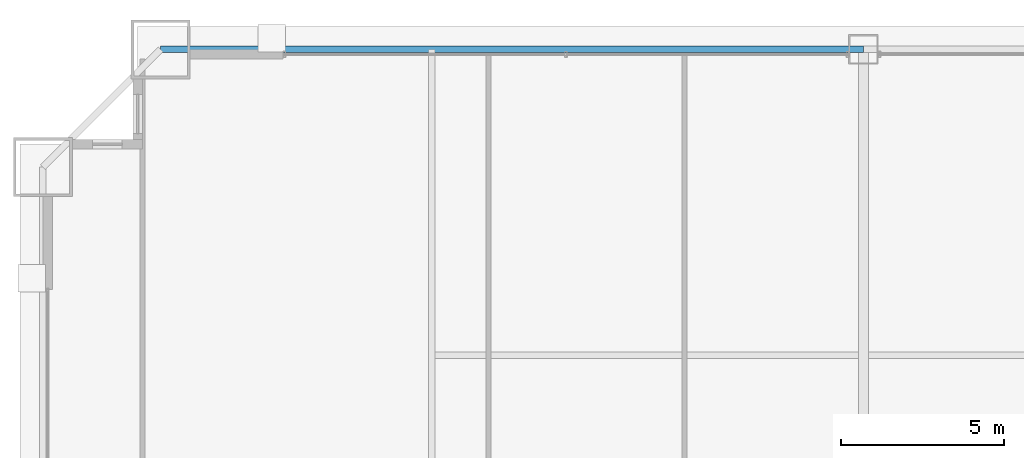
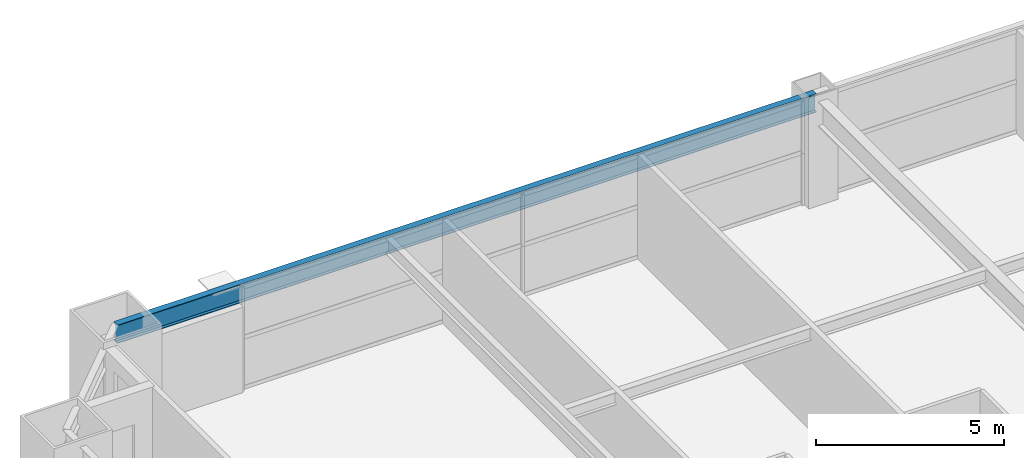
# One storey, part 27 of 43: 1 beam.
"""IFC4 building model written with IfcOpenShell, lengths in metres."""

import ifcopenshell
import ifcopenshell.guid

model = None  # the IFC model being written
_history = None  # IfcOwnerHistory: only IFC2X3 demands one
_inside = {}  # id of a spatial element -> (the spatial element, [elements in it])
_under = {}  # id of a project, library or spatial element -> (it, [spatial elements below it])
_declared = {}  # id of a project -> (the project, [libraries it declares])
_typed = {}  # id of a type object -> (the type object, [elements of that type])
_made_of = {}  # id of a material, layer set ... -> (it, [elements and type objects made of it])


def new_model(schema):
    """Start an empty IFC model of exactly this schema.

    Asked for "IFC4X3", IfcOpenShell would pick the latest addendum, in which some entities
    have other attributes; the version numbers below select the first issue.
    IFC2X3 requires an IfcOwnerHistory on every rooted entity: one is made here for all.
    """
    global model, _history
    if schema == "IFC4X3":
        model = ifcopenshell.file(schema_version=(4, 3, 0, 0))
    else:
        model = ifcopenshell.file(schema=schema)
    _inside.clear()
    _under.clear()
    _declared.clear()
    _typed.clear()
    _made_of.clear()
    _history = None
    if model.schema == "IFC2X3":
        org = make("IfcOrganization", Name="unknown")
        user = make(
            "IfcPersonAndOrganization",
            ThePerson=make("IfcPerson", FamilyName="unknown"),
            TheOrganization=org,
        )
        app = make(
            "IfcApplication",
            ApplicationDeveloper=org,
            Version="unknown",
            ApplicationFullName="unknown",
            ApplicationIdentifier="unknown",
        )
        _history = make(
            "IfcOwnerHistory",
            OwningUser=user,
            OwningApplication=app,
            ChangeAction="ADDED",
            CreationDate=0,
        )
    return model


def make(cls, **values):
    """One entity of the class cls with the attributes given. An attribute that is None is left unset."""
    return model.create_entity(
        cls, **{name: value for name, value in values.items() if value is not None}
    )


def rooted(cls, **values):
    """An entity with a GlobalId (a new one), such as an element, a storey or a relation."""
    return make(cls, GlobalId=ifcopenshell.guid.new(), OwnerHistory=_history, **values)


def si_unit(unit_type, name, prefix=None):
    """IfcSIUnit, for example si_unit("LENGTHUNIT", "METRE", prefix="MILLI")."""
    return make("IfcSIUnit", UnitType=unit_type, Prefix=prefix, Name=name)


def assignment(units):
    """IfcUnitAssignment: the units of a project."""
    return None if units is None else make("IfcUnitAssignment", Units=units)


def point(xyz):
    """IfcCartesianPoint."""
    return None if xyz is None else make("IfcCartesianPoint", Coordinates=xyz)


def direction(xyz):
    """IfcDirection."""
    return None if xyz is None else make("IfcDirection", DirectionRatios=xyz)


def frame(location, z_axis=None, x_axis=None):
    """IfcAxis2Placement3D, a coordinate frame: its origin and axes. An axis left out is left unset."""
    return make(
        "IfcAxis2Placement3D",
        Location=point(location),
        Axis=direction(z_axis),
        RefDirection=direction(x_axis),
    )


def frame_2d(location, x_axis=None):
    """IfcAxis2Placement2D, a coordinate frame in the plane: its origin and x axis."""
    return make(
        "IfcAxis2Placement2D", Location=point(location), RefDirection=direction(x_axis)
    )


def origin():
    """The frame at (0, 0, 0) with its axes left unset."""
    return frame((0.0, 0.0, 0.0))


def origin_2d():
    """The frame at (0, 0) in the plane with its x axis left unset."""
    return frame_2d((0.0, 0.0))


def place(relative_to, where):
    """IfcLocalPlacement: puts the frame where relative to a parent placement (None: the world)."""
    return make(
        "IfcLocalPlacement", PlacementRelTo=relative_to, RelativePlacement=where
    )


def context(
    kind, dimensions, precision=None, world=None, true_north=None, identifier=None
):
    """IfcGeometricRepresentationContext, for example the 3D "Model" context."""
    return make(
        "IfcGeometricRepresentationContext",
        ContextIdentifier=identifier,
        ContextType=kind,
        CoordinateSpaceDimension=dimensions,
        Precision=precision,
        WorldCoordinateSystem=world,
        TrueNorth=true_north,
    )


def subcontext(parent, identifier, kind, view, scale=None):
    """IfcGeometricRepresentationSubContext, for example "Body" below "Model"."""
    return make(
        "IfcGeometricRepresentationSubContext",
        ContextIdentifier=identifier,
        ContextType=kind,
        ParentContext=parent,
        TargetScale=scale,
        TargetView=view,
    )


def project(units=None, contexts=None):
    """IfcProject with its units and contexts."""
    return rooted(
        "IfcProject",
        Name="project",
        RepresentationContexts=contexts,
        UnitsInContext=assignment(units),
    )


def spatial(cls, under=None, at=None, **own):
    """A site, building, storey or space (cls), placed at a placement, below another one or the project."""
    s = rooted(cls, ObjectPlacement=at, **own)
    if under is not None:
        _under.setdefault(under.id(), (under, []))[1].append(s)
    return s


def profile(cls, at=None, kind="AREA", **sizes):
    """A parametric profile (cls). Its sizes go by their IFC names, for example OverallWidth=200.0."""
    return make(cls, ProfileType=kind, Position=at, **sizes)


def i_section(**sizes):
    """IfcIShapeProfileDef."""
    return profile("IfcIShapeProfileDef", **sizes)


def extrude(swept, where, along, depth):
    """IfcExtrudedAreaSolid: the profile swept, set in the frame where, extruded along a direction by depth."""
    return make(
        "IfcExtrudedAreaSolid",
        SweptArea=swept,
        Position=where,
        ExtrudedDirection=direction(along),
        Depth=depth,
    )


def shape(context_of_items, identifier, shape_type, items):
    """IfcShapeRepresentation: the items that make up one representation, for example the "Body"."""
    return make(
        "IfcShapeRepresentation",
        ContextOfItems=context_of_items,
        RepresentationIdentifier=identifier,
        RepresentationType=shape_type,
        Items=items,
    )


def source(mapping_origin, context_of_items, identifier, shape_type, items):
    """IfcRepresentationMap: a shape defined once, which mapped items show again and again."""
    return make(
        "IfcRepresentationMap",
        MappingOrigin=mapping_origin,
        MappedRepresentation=shape(context_of_items, identifier, shape_type, items),
    )


def transform(
    local_origin,
    x_axis=None,
    y_axis=None,
    z_axis=None,
    scale=None,
    scale2=None,
    scale3=None,
    uniform=True,
):
    """IfcCartesianTransformationOperator3D, or its non-uniform kind. x_axis, y_axis, z_axis: its Axis1, 2, 3."""
    if uniform:
        return make(
            "IfcCartesianTransformationOperator3D",
            Axis1=direction(x_axis),
            Axis2=direction(y_axis),
            LocalOrigin=point(local_origin),
            Scale=scale,
            Axis3=direction(z_axis),
        )
    return make(
        "IfcCartesianTransformationOperator3DnonUniform",
        Axis1=direction(x_axis),
        Axis2=direction(y_axis),
        LocalOrigin=point(local_origin),
        Scale=scale,
        Axis3=direction(z_axis),
        Scale2=scale2,
        Scale3=scale3,
    )


def mapped(mapping_source, mapping_target):
    """IfcMappedItem: shows the shape of a source again, moved by a transform."""
    return make(
        "IfcMappedItem", MappingSource=mapping_source, MappingTarget=mapping_target
    )


def material(Name=None, Category=None):
    """IfcMaterial."""
    return make("IfcMaterial", Name=Name, Category=Category)


def material_profile(
    of_material, cross_section, Name=None, Category=None, Priority=None
):
    """IfcMaterialProfile: a cross section and its material."""
    return make(
        "IfcMaterialProfile",
        Name=Name,
        Material=of_material,
        Profile=cross_section,
        Priority=Priority,
        Category=Category,
    )


def profile_set(profiles, Name=None, composite=None):
    """IfcMaterialProfileSet."""
    return make(
        "IfcMaterialProfileSet",
        Name=Name,
        MaterialProfiles=profiles,
        CompositeProfile=composite,
    )


def made_of(thing, what):
    """Note that an element or type object is made of a material, layer set ...; save() writes the relation."""
    if what is not None:
        _made_of.setdefault(what.id(), (what, []))[1].append(thing)
    return thing


def type_object(cls, material=None, **own):
    """A type object (cls), such as IfcWallType, which elements share."""
    return made_of(rooted(cls, **own), material)


def element(
    cls,
    number,
    at=None,
    inside=None,
    cuts=None,
    type_object=None,
    material=None,
    context=None,
    identifier="Body",
    shape_type=None,
    held_by="IfcProductDefinitionShape",
    body=None,
    shapes=None,
    **own,
):
    """One element of the class cls, such as IfcWall. Its Tag is "e" and its number.

    at: its placement. inside: the storey or other place that contains it. cuts: it is an
    opening in that element (IfcRelVoidsElement). A single representation is given by context,
    identifier, shape_type and body (its items); several are given by shapes. held_by: the class
    of the entity that holds the representations. save() writes the other relations.
    """
    e = rooted(cls, Tag="e%d" % number, ObjectPlacement=at, **own)
    if body is not None:
        shapes = [shape(context, identifier, shape_type, body)]
    if shapes is not None:
        e.Representation = make(held_by, Representations=shapes)
    if inside is not None:
        _inside.setdefault(inside.id(), (inside, []))[1].append(e)
    if cuts is not None:
        rooted(
            "IfcRelVoidsElement", RelatingBuildingElement=cuts, RelatedOpeningElement=e
        )
    if type_object is not None:
        _typed.setdefault(type_object.id(), (type_object, []))[1].append(e)
    return made_of(e, material)


def aggregate(whole, parts):
    """IfcRelAggregates: a whole, such as a stair, and the parts it consists of."""
    return rooted("IfcRelAggregates", RelatingObject=whole, RelatedObjects=parts)


def save(model, path):
    """Write the relations noted so far, then the file.

    IfcRelAggregates (storeys below a building ...), IfcRelContainedInSpatialStructure (elements
    in a storey), IfcRelDefinesByType, IfcRelAssociatesMaterial and IfcRelDeclares: one each for
    every whole, place, type object, material and project.
    """
    for whole, parts in _under.values():
        aggregate(whole, parts)
    for where, things in _inside.values():
        rooted(
            "IfcRelContainedInSpatialStructure",
            RelatedElements=things,
            RelatingStructure=where,
        )
    for kind, things in _typed.values():
        rooted("IfcRelDefinesByType", RelatedObjects=things, RelatingType=kind)
    for what, things in _made_of.values():
        rooted("IfcRelAssociatesMaterial", RelatedObjects=things, RelatingMaterial=what)
    for by, libraries in _declared.values():
        rooted("IfcRelDeclares", RelatingContext=by, RelatedDefinitions=libraries)
    model.write(path)


model = new_model("IFC4")

# Units and contexts
model_context = context("Model", 3, precision=1e-05, world=origin(), true_north=direction((0.0, 1.0)))
body_context = subcontext(model_context, "Body", "Model", "MODEL_VIEW")
ifc_project = project(units=[si_unit("LENGTHUNIT", "METRE"), si_unit("AREAUNIT", "SQUARE_METRE"), si_unit("VOLUMEUNIT", "CUBIC_METRE"), si_unit("PLANEANGLEUNIT", "RADIAN"), si_unit("MASSUNIT", "GRAM", prefix="KILO"), si_unit("THERMODYNAMICTEMPERATUREUNIT", "KELVIN"), si_unit("POWERUNIT", "WATT")], contexts=[model_context])

# Site, building, storey
site_placement = place(None, origin())
site = spatial("IfcSite", under=ifc_project, at=site_placement, CompositionType="ELEMENT")
building_placement = place(site_placement, origin())
building = spatial("IfcBuilding", under=site, at=building_placement, Name="Yuzanri Waterfront Tower", CompositionType="ELEMENT")
storey_placement = place(building_placement, frame((0.0, 0.0, 78.39990234375)))
storey = spatial("IfcBuildingStorey", under=building, at=storey_placement, Name="L20", CompositionType="ELEMENT", Elevation=78.39990234375)

# Beam
ifc_material = material(Name="Steel Q355B", Category="steel")
ifc_material_profile = material_profile(ifc_material, i_section(OverallWidth=0.199951171875, OverallDepth=0.60009765625, WebThickness=0.010986328125, FlangeThickness=0.01708984375, at=origin_2d()), Name="HN 600x200x11x17")
ifc_profile_set = profile_set([ifc_material_profile], Name="Steel Q355B")
beam_type = type_object("IfcBeamType", Name="Perimeter Spandrel Q355B HN 600x200", PredefinedType="SPANDREL", material=ifc_profile_set)
shared_shape = source(origin(), body_context, "Body", "SweptSolid", [
    extrude(i_section(OverallWidth=0.199951171875, OverallDepth=0.60009765625, WebThickness=0.010986328125, FlangeThickness=0.01708984375, at=origin_2d()), origin(), (0.0, 0.0, 1.0), 21.5),
])
beam_placement = place(storey_placement, frame((37.0, 50.89990234375, 3.080078125), z_axis=(-1.0, 0.0, 0.0), x_axis=(0.0, -1.0, 0.0)))
element("IfcBeam", 1, at=beam_placement, inside=storey, type_object=beam_type, Name="L20 Perimeter Spandrel N2-N1", PredefinedType="SPANDREL", context=body_context, shape_type="MappedRepresentation", body=[
    mapped(shared_shape, transform((0.0, 0.0, 0.0), scale=1.0)),
])

save(model, "model.ifc")
